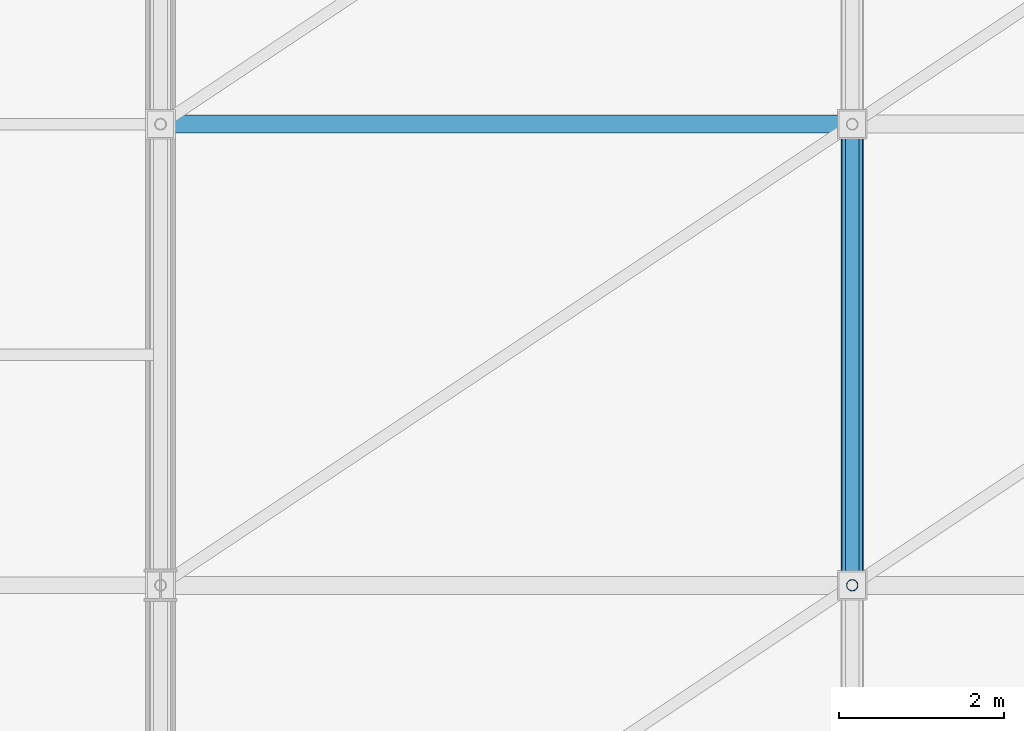
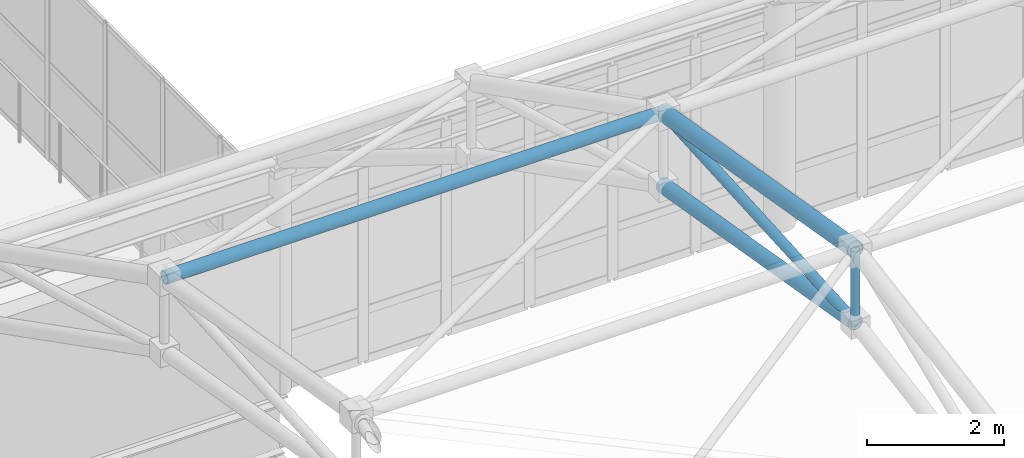
# One storey, part 41 of 184: 5 members.
"""IFC4 building model written with IfcOpenShell, lengths in metres."""

from ifc_helpers import new_model, si_unit, direction, frame, origin, origin_2d, place, context, subcontext, project, spatial, hollow_circle, extrude, material, material_profile, profile_set, type_object, element, save


model = new_model("IFC4")

# Units and contexts
model_context = context("Model", 3, precision=1e-05, world=origin(), true_north=direction((0.0, 1.0)))
body_context = subcontext(model_context, "Body", "Model", "MODEL_VIEW")
ifc_project = project(units=[si_unit("LENGTHUNIT", "METRE"), si_unit("AREAUNIT", "SQUARE_METRE"), si_unit("VOLUMEUNIT", "CUBIC_METRE"), si_unit("PLANEANGLEUNIT", "RADIAN"), si_unit("MASSUNIT", "GRAM", prefix="KILO")], contexts=[model_context])

# Site, building, storey
site_placement = place(None, origin())
site = spatial("IfcSite", under=ifc_project, at=site_placement, CompositionType="ELEMENT")
building_placement = place(site_placement, origin())
building = spatial("IfcBuilding", under=site, at=building_placement, Name="Qalvenar Corner Mobility Hub", CompositionType="ELEMENT")
storey_placement = place(building_placement, frame((0.0, 0.0, 9.0)))
storey = spatial("IfcBuildingStorey", under=building, at=storey_placement, Name="L02", CompositionType="ELEMENT", Elevation=9.0)

# Members
ifc_material = material(Name="Steel S355", Category="steel")
ifc_material_profile_1 = material_profile(ifc_material, hollow_circle(Radius=0.109619140625, WallThickness=0.008056640625, at=origin_2d()), Name="CHS219.1x8")
ifc_profile_set_1 = profile_set([ifc_material_profile_1], Name="Steel S355")
member_type_1 = type_object("IfcMemberType", Name="SF-CHD219", PredefinedType="CHORD", material=ifc_profile_set_1)
member_1_placement = place(storey_placement, frame((50.39990234375, 22.39990234375, 11.704345703125), z_axis=(1.0, 0.0, 0.0), x_axis=(0.0, 1.0, 0.0)))
element("IfcMember", 1, at=member_1_placement, inside=storey, type_object=member_type_1, Name="Space Frame Longitudinal Chord SFL-0172", PredefinedType="CHORD", context=body_context, shape_type="SweptSolid", body=[
    extrude(hollow_circle(Radius=0.109619140625, WallThickness=0.008056640625, at=origin_2d()), origin(), (0.0, 0.0, 1.0), 8.400146484375),
])
ifc_material_profile_2 = material_profile(ifc_material, hollow_circle(Radius=0.122314453125, WallThickness=0.0087890625, at=origin_2d()), Name="CHS244.5x8.8")
ifc_profile_set_2 = profile_set([ifc_material_profile_2], Name="Steel S355")
member_type_2 = type_object("IfcMemberType", Name="SF-CHD244", PredefinedType="CHORD", material=ifc_profile_set_2)
member_2_placement = place(storey_placement, frame((58.800048828125, 16.800048828125, 11.360107421875), z_axis=(0.0, 0.985744075738, -0.168251648276), x_axis=(-1.0, 0.0, 0.0)))
element("IfcMember", 2, at=member_2_placement, inside=storey, type_object=member_type_2, Name="Space Frame Bottom Chord SFBC-0031", PredefinedType="CHORD", context=body_context, shape_type="SweptSolid", body=[
    extrude(hollow_circle(Radius=0.122314453125, WallThickness=0.0087890625, at=origin_2d()), origin(), (0.0, 0.0, 1.0), 5.680908203125),
])
ifc_material_profile_3 = material_profile(ifc_material, hollow_circle(Radius=0.136474609375, WallThickness=0.010009765625, at=origin_2d()), Name="CHS273x10")
ifc_profile_set_3 = profile_set([ifc_material_profile_3], Name="Steel S355")
member_type_3 = type_object("IfcMemberType", Name="SF-CHD273", PredefinedType="CHORD", material=ifc_profile_set_3)
member_3_placement = place(storey_placement, frame((58.800048828125, 16.800048828125, 12.659912109375), z_axis=(0.0, 0.985751202632, -0.168209888264), x_axis=(-1.0, 0.0, 0.0)))
element("IfcMember", 3, at=member_3_placement, inside=storey, type_object=member_type_3, Name="Space Frame Top Chord SFTC-0030", PredefinedType="CHORD", context=body_context, shape_type="SweptSolid", body=[
    extrude(hollow_circle(Radius=0.136474609375, WallThickness=0.010009765625, at=origin_2d()), origin(), (0.0, 0.0, 1.0), 5.680908203125),
])
ifc_material_profile_4 = material_profile(ifc_material, hollow_circle(Radius=0.06982421875, WallThickness=0.0048828125, at=origin_2d()), Name="CHS139.7x5")
ifc_profile_set_4 = profile_set([ifc_material_profile_4], Name="Steel S355")
member_type_4 = type_object("IfcMemberType", Name="SF-STR139", PredefinedType="STRUT", material=ifc_profile_set_4)
member_4_placement = place(storey_placement, frame((58.800048828125, 16.800048828125, 11.360107421875), z_axis=(0.0, 0.0, 1.0), x_axis=(1.0, 0.0, 0.0)))
element("IfcMember", 4, at=member_4_placement, inside=storey, type_object=member_type_4, Name="Space Frame King Strut SFV-0040", PredefinedType="STRUT", context=body_context, shape_type="SweptSolid", body=[
    extrude(hollow_circle(Radius=0.06982421875, WallThickness=0.0048828125, at=origin_2d()), origin(), (0.0, 0.0, 1.0), 1.2998046875),
])
ifc_material_profile_5 = material_profile(ifc_material, hollow_circle(Radius=0.084228515625, WallThickness=0.00634765625, at=origin_2d()), Name="CHS168.3x6.3")
ifc_profile_set_5 = profile_set([ifc_material_profile_5], Name="Steel S355")
member_type_5 = type_object("IfcMemberType", Name="SF-STR168", PredefinedType="STRUT", material=ifc_profile_set_5)
member_5_placement = place(storey_placement, frame((58.800048828125, 16.800048828125, 11.360107421875), z_axis=(0.0, 0.998115889969, 0.061356908264), x_axis=(-1.0, 0.0, 0.0)))
element("IfcMember", 5, at=member_5_placement, inside=storey, type_object=member_type_5, Name="Space Frame Web Strut SFD-0032", PredefinedType="STRUT", context=body_context, shape_type="SweptSolid", body=[
    extrude(hollow_circle(Radius=0.084228515625, WallThickness=0.00634765625, at=origin_2d()), origin(), (0.0, 0.0, 1.0), 5.6103515625),
])

save(model, "model.ifc")
